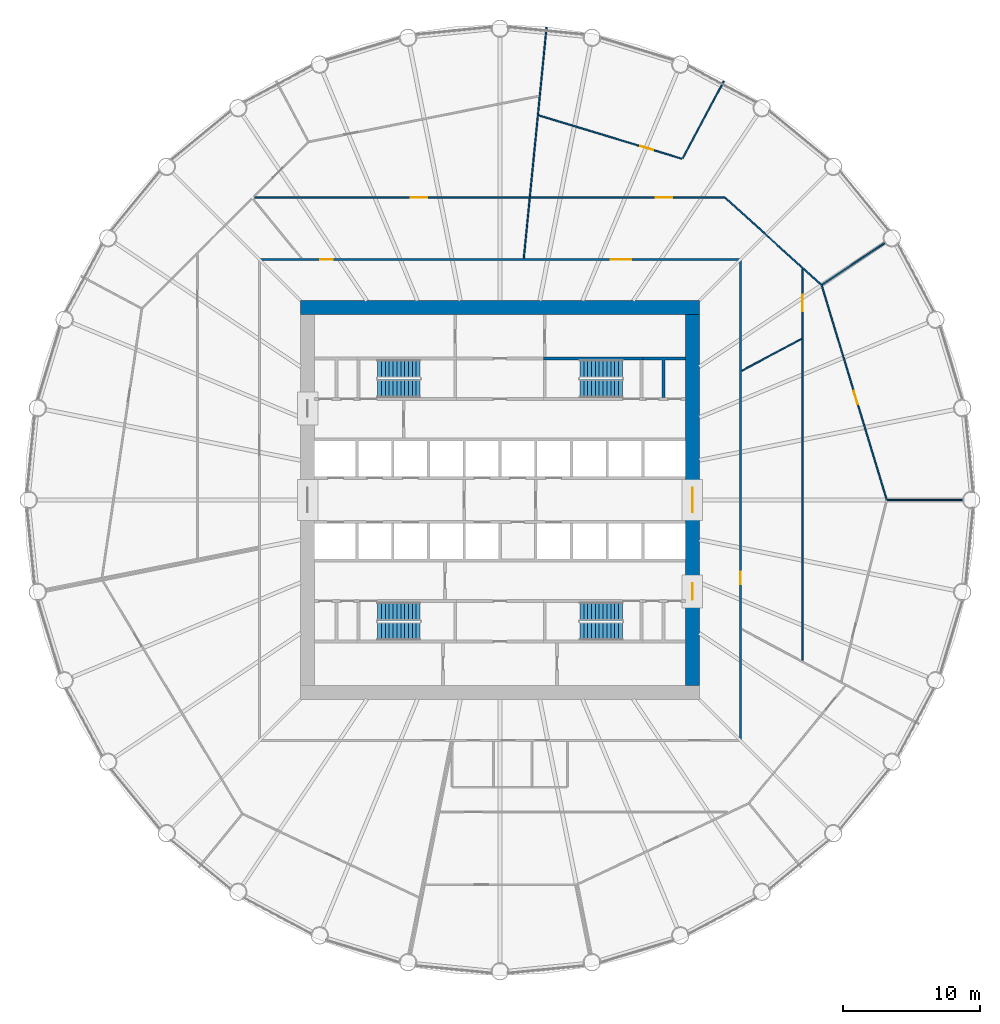
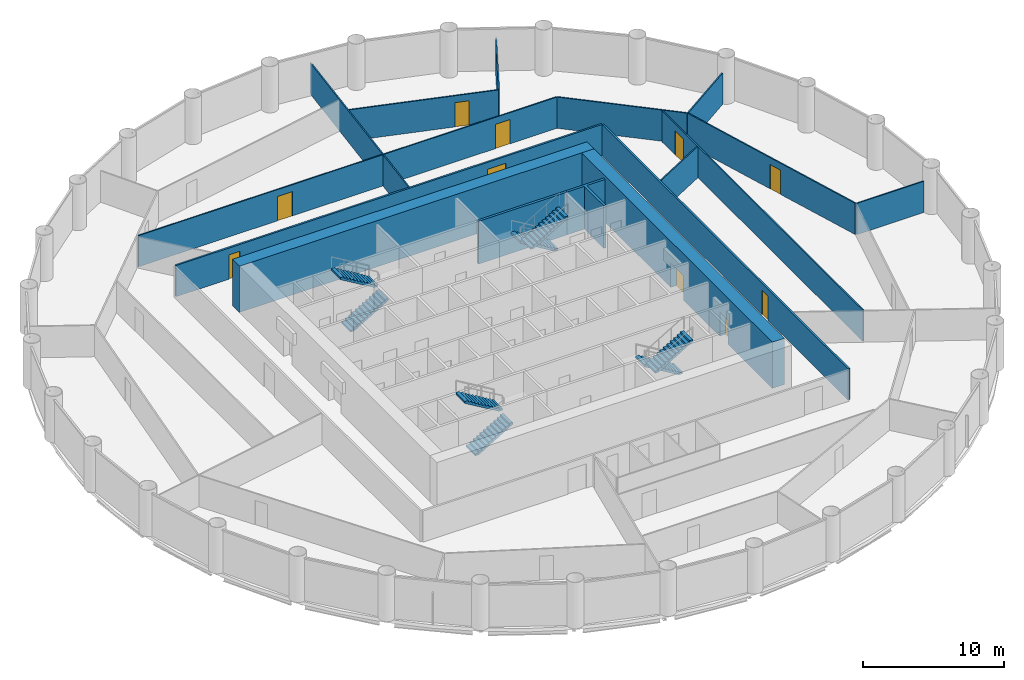
# One storey, part 7 of 8: 17 walls, 10 doors, 8 stair flights, 10 openings, 4 elements without a shape of their own.
"""IFC4 building model written with IfcOpenShell, lengths in metres."""

from ifc_helpers import new_model, si_unit, direction, frame, frame_2d, origin, place, context, subcontext, project, spatial, polyline, rectangle, outline, extrude, material, layer, layer_set, type_object, element, fill, aggregate, save


model = new_model("IFC4")

# Units and contexts
model_context = context("Model", 3, precision=1e-05, world=origin(), true_north=direction((0.0, 1.0)))
body_context = subcontext(model_context, "Body", "Model", "MODEL_VIEW")
ifc_project = project(units=[si_unit("LENGTHUNIT", "METRE"), si_unit("AREAUNIT", "SQUARE_METRE"), si_unit("VOLUMEUNIT", "CUBIC_METRE"), si_unit("PLANEANGLEUNIT", "RADIAN"), si_unit("MASSUNIT", "GRAM", prefix="KILO")], contexts=[model_context])

# Site, building, storey
site_placement = place(None, origin())
site = spatial("IfcSite", under=ifc_project, at=site_placement, CompositionType="ELEMENT")
building_placement = place(site_placement, origin())
building = spatial("IfcBuilding", under=site, at=building_placement, Name="Corvane Civic Tower", CompositionType="ELEMENT")
storey_placement = place(building_placement, frame((0.0, 0.0, 122.5)))
storey = spatial("IfcBuildingStorey", under=building, at=storey_placement, Name="L28", CompositionType="ELEMENT", Elevation=122.5)

# Wall
ifc_material_1 = material(Name="Concrete C70/85", Category="concrete")
ifc_layer_1 = layer(ifc_material_1, 1.0)
ifc_layer_set_1 = layer_set([ifc_layer_1], Name="Concrete C70/85")
wall_type_1 = type_object("IfcWallType", Name="CORE WALL 1000 C70/85", PredefinedType="SHEAR", material=ifc_layer_set_1)
wall_1_placement = place(storey_placement, frame((-14.5, 14.0, 0.0), z_axis=(0.0, 0.0, 1.0), x_axis=(1.0, 0.0, 0.0)))
element("IfcWall", 1, at=wall_1_placement, inside=storey, type_object=wall_type_1, Name="W-L28-core-N", PredefinedType="SHEAR", context=body_context, shape_type="SweptSolid", body=[
    extrude(rectangle(XDim=29.0, YDim=1.0, at=frame_2d((14.5, 0.0))), origin(), (0.0, 0.0, 1.0), 4.0),
])

# Wall, openings, doors
wall_2_placement = place(storey_placement, frame((14.0, -13.5, 0.0), z_axis=(0.0, 0.0, 1.0), x_axis=(0.0, 1.0, 0.0)))
wall_2 = element("IfcWall", 2, at=wall_2_placement, inside=storey, type_object=wall_type_1, Name="W-L28-core-E", PredefinedType="SHEAR", context=body_context, shape_type="SweptSolid", body=[
    extrude(rectangle(XDim=27.0, YDim=1.0, at=frame_2d((13.5, 0.0))), origin(), (0.0, 0.0, 1.0), 4.0),
])
opening_1_placement = place(wall_2_placement, frame((12.60009765625, 0.0, 0.0)))
opening_1 = element("IfcOpeningElement", 3, at=opening_1_placement, cuts=wall_2, Name="Opening L28.C27", PredefinedType="OPENING", context=body_context, shape_type="SweptSolid", body=[
    extrude(rectangle(XDim=1.800048828125, YDim=2.10009765625, at=frame_2d((0.89990234375, 1.050048828125))), frame((0.0, 0.510009765625, 0.0), z_axis=(0.0, -1.0, 0.0), x_axis=(1.0, 0.0, 0.0)), (0.0, 0.0, 1.0), 1.02001953125),
])
opening_2_placement = place(wall_2_placement, frame((6.25, 0.0, 0.0)))
opening_2 = element("IfcOpeningElement", 4, at=opening_2_placement, cuts=wall_2, Name="Opening L28.C29", PredefinedType="OPENING", context=body_context, shape_type="SweptSolid", body=[
    extrude(rectangle(XDim=1.199951171875, YDim=2.10009765625, at=frame_2d((0.60009765625, 1.050048828125))), frame((0.0, 0.510009765625, 0.0), z_axis=(0.0, -1.0, 0.0), x_axis=(1.0, 0.0, 0.0)), (0.0, 0.0, 1.0), 1.02001953125),
])
ifc_material_2 = material(Name="Steel fire door leaf", Category="steel")
door_type_1 = type_object("IfcDoorType", Name="CR-DOOR-CORE-1800", OperationType="DOUBLE_DOOR_SINGLE_SWING", PredefinedType="DOOR", material=ifc_material_2)
door_1_placement = place(opening_1_placement, origin())
door_1 = element("IfcDoor", 5, at=door_1_placement, inside=storey, type_object=door_type_1, Name="L28 door", OperationType="DOUBLE_DOOR_SINGLE_SWING", OverallHeight=2.10009765625, OverallWidth=1.800048828125, PredefinedType="DOOR", context=body_context, shape_type="SweptSolid", body=[
    extrude(rectangle(XDim=1.800048828125, YDim=2.10009765625, at=frame_2d((0.89990234375, 1.050048828125))), frame((0.0, 0.02490234375, 0.0), z_axis=(0.0, -1.0, 0.0), x_axis=(1.0, 0.0, 0.0)), (0.0, 0.0, 1.0), 0.050048828125),
])
fill(opening_1, door_1)
door_2_placement = place(opening_2_placement, origin())
door_2 = element("IfcDoor", 6, at=door_2_placement, inside=storey, type_object=door_type_1, Name="L28 door", OperationType="DOUBLE_DOOR_SINGLE_SWING", OverallHeight=2.10009765625, OverallWidth=1.199951171875, PredefinedType="DOOR", context=body_context, shape_type="SweptSolid", body=[
    extrude(rectangle(XDim=1.199951171875, YDim=2.10009765625, at=frame_2d((0.60009765625, 1.050048828125))), frame((0.0, 0.02490234375, 0.0), z_axis=(0.0, -1.0, 0.0), x_axis=(1.0, 0.0, 0.0)), (0.0, 0.0, 1.0), 0.050048828125),
])
fill(opening_2, door_2)

# Wall
ifc_material_3 = material(Name="Concrete C30/37", Category="concrete")
ifc_layer_2 = layer(ifc_material_3, 0.199951171875)
ifc_layer_set_2 = layer_set([ifc_layer_2], Name="Concrete C30/37")
wall_type_2 = type_object("IfcWallType", Name="CR-WALL-200", PredefinedType="PARTITIONING", material=ifc_layer_set_2)
wall_3_placement = place(storey_placement, origin())
element("IfcWall", 7, at=wall_3_placement, inside=storey, type_object=wall_type_2, Name="L28 core partition wall", PredefinedType="PARTITIONING", context=body_context, shape_type="SweptSolid", body=[
    extrude(outline(polyline([(13.5, 10.39990234375), (13.5, 10.199951171875), (12.0, 10.199951171875), (12.0, 7.449951171875), (11.800048828125, 7.449951171875), (11.800048828125, 10.199951171875), (10.39990234375, 10.199951171875), (10.39990234375, 10.39990234375), (13.5, 10.39990234375)])), origin(), (0.0, 0.0, 1.0), 3.699951171875),
])

# Wall, opening, door
ifc_material_4 = material(Name="Plasterboard")
ifc_layer_3 = layer(ifc_material_4, 0.10009765625)
ifc_layer_set_3 = layer_set([ifc_layer_3], Name="Plasterboard")
wall_type_3 = type_object("IfcWallType", Name="Partition 100 plasterboard on studs", PredefinedType="PARTITIONING", material=ifc_layer_set_3)
wall_4_placement = place(storey_placement, frame((22.0, -11.67578125, 0.0), z_axis=(0.0, 0.0, 1.0), x_axis=(0.0, 1.0, 0.0)))
wall_4 = element("IfcWall", 8, at=wall_4_placement, inside=storey, type_object=wall_type_3, Name="Partition L28.021", PredefinedType="PARTITIONING", context=body_context, shape_type="SweptSolid", body=[
    extrude(rectangle(XDim=28.466796875, YDim=0.10009765625, at=frame_2d((14.2333984375, 0.0))), origin(), (0.0, 0.0, 1.0), 2.699951171875),
])
opening_3_placement = place(wall_4_placement, frame((25.4072265625, 0.0, 0.0)))
opening_3 = element("IfcOpeningElement", 9, at=opening_3_placement, cuts=wall_4, Name="Opening L28.014", PredefinedType="OPENING", context=body_context, shape_type="SweptSolid", body=[
    extrude(rectangle(XDim=1.199951171875, YDim=2.10009765625, at=frame_2d((0.60009765625, 1.050048828125))), frame((0.0, 0.06005859375, 0.0), z_axis=(0.0, -1.0, 0.0), x_axis=(1.0, 0.0, 0.0)), (0.0, 0.0, 1.0), 0.1201171875),
])
ifc_material_5 = material(Name="Timber", Category="wood")
door_type_2 = type_object("IfcDoorType", Name="Double door 1200", OperationType="NOTDEFINED", PredefinedType="DOOR", material=ifc_material_5)
door_3_placement = place(opening_3_placement, frame((1.199951171875, 0.0, 0.0), z_axis=(0.0, 0.0, 1.0), x_axis=(-1.0, 0.0, 0.0)))
door_3 = element("IfcDoor", 10, at=door_3_placement, inside=storey, type_object=door_type_2, Name="Door L28.014", OperationType="DOUBLE_DOOR_SINGLE_SWING", OverallHeight=2.10009765625, OverallWidth=1.199951171875, PredefinedType="DOOR", context=body_context, shape_type="SweptSolid", body=[
    extrude(rectangle(XDim=1.199951171875, YDim=2.10009765625, at=frame_2d((0.60009765625, 1.050048828125))), frame((0.0, 0.02490234375, 0.0), z_axis=(0.0, -1.0, 0.0), x_axis=(1.0, 0.0, 0.0)), (0.0, 0.0, 1.0), 0.050048828125),
])
fill(opening_3, door_3)

# Wall
wall_5_placement = place(storey_placement, frame((28.181640625, 0.0, 0.0), z_axis=(0.0, 0.0, 1.0), x_axis=(1.0, 0.0, 0.0)))
element("IfcWall", 11, at=wall_5_placement, inside=storey, type_object=wall_type_3, Name="Partition L28.025", PredefinedType="PARTITIONING", context=body_context, shape_type="SweptSolid", body=[
    extrude(rectangle(XDim=5.4833984375, YDim=0.10009765625, at=frame_2d((2.74169921875, 0.0))), origin(), (0.0, 0.0, 1.0), 2.699951171875),
])

# Wall, opening, door
wall_6_placement = place(storey_placement, frame((23.410400390625, 15.599609375, 0.0), z_axis=(0.0, 0.0, 1.0), x_axis=(0.290289427399, -0.956938894779, 0.0)))
wall_6 = element("IfcWall", 12, at=wall_6_placement, inside=storey, type_object=wall_type_3, Name="Partition L28.026", PredefinedType="PARTITIONING", context=body_context, shape_type="SweptSolid", body=[
    extrude(rectangle(XDim=16.2646484375, YDim=0.10009765625, at=frame_2d((8.13232421875, 0.0))), origin(), (0.0, 0.0, 1.0), 2.699951171875),
])
opening_4_placement = place(wall_6_placement, frame((8.015380859375, 0.0, 0.0)))
opening_4 = element("IfcOpeningElement", 13, at=opening_4_placement, cuts=wall_6, Name="Opening L28.012", PredefinedType="OPENING", context=body_context, shape_type="SweptSolid", body=[
    extrude(rectangle(XDim=1.0, YDim=2.10009765625, at=frame_2d((0.5, 1.050048828125))), frame((0.0, 0.06005859375, 0.0), z_axis=(0.0, -1.0, 0.0), x_axis=(1.0, 0.0, 0.0)), (0.0, 0.0, 1.0), 0.1201171875),
])
ifc_material_6 = material(Name="Timber", Category="wood")
door_type_3 = type_object("IfcDoorType", Name="Single door 1000", OperationType="NOTDEFINED", PredefinedType="DOOR", material=ifc_material_6)
door_4_placement = place(opening_4_placement, origin())
door_4 = element("IfcDoor", 14, at=door_4_placement, inside=storey, type_object=door_type_3, Name="Door L28.012", OperationType="SINGLE_SWING_RIGHT", OverallHeight=2.10009765625, OverallWidth=1.0, PredefinedType="DOOR", context=body_context, shape_type="SweptSolid", body=[
    extrude(rectangle(XDim=1.0, YDim=2.10009765625, at=frame_2d((0.5, 1.050048828125))), frame((0.0, 0.02490234375, 0.0), z_axis=(0.0, -1.0, 0.0), x_axis=(1.0, 0.0, 0.0)), (0.0, 0.0, 1.0), 0.050048828125),
])
fill(opening_4, door_4)

# Walls
wall_7_placement = place(storey_placement, frame((17.5986328125, 9.406494140625, 0.0), z_axis=(0.0, 0.0, 1.0), x_axis=(0.881906349881, 0.47142463877, 0.0)))
element("IfcWall", 15, at=wall_7_placement, inside=storey, type_object=wall_type_3, Name="Partition L28.027", PredefinedType="PARTITIONING", context=body_context, shape_type="SweptSolid", body=[
    extrude(rectangle(XDim=4.907470703125, YDim=0.10009765625, at=frame_2d((2.45361328125, 0.0))), origin(), (0.0, 0.0, 1.0), 2.699951171875),
])
wall_8_placement = place(storey_placement, frame((16.391357421875, 21.987060546875, 0.0), z_axis=(0.0, 0.0, 1.0), x_axis=(0.740947856194, -0.671562561793, 0.0)))
element("IfcWall", 16, at=wall_8_placement, inside=storey, type_object=wall_type_3, Name="Partition L28.030", PredefinedType="PARTITIONING", context=body_context, shape_type="SweptSolid", body=[
    extrude(rectangle(XDim=9.41943359375, YDim=0.10009765625, at=frame_2d((4.709716796875, 0.0))), origin(), (0.0, 0.0, 1.0), 2.699951171875),
])
wall_9_placement = place(storey_placement, frame((23.43212890625, 15.65673828125, 0.0), z_axis=(0.0, 0.0, 1.0), x_axis=(0.831453900371, 0.555593746867, 0.0)))
element("IfcWall", 17, at=wall_9_placement, inside=storey, type_object=wall_type_3, Name="Partition L28.031", PredefinedType="PARTITIONING", context=body_context, shape_type="SweptSolid", body=[
    extrude(rectangle(XDim=5.483642578125, YDim=0.10009765625, at=frame_2d((2.74169921875, 0.0))), origin(), (0.0, 0.0, 1.0), 2.699951171875),
])
wall_10_placement = place(storey_placement, frame((1.7314453125, 17.579833984375, 0.0), z_axis=(0.0, 0.0, 1.0), x_axis=(0.098017353968, 0.995184705631, 0.0)))
element("IfcWall", 18, at=wall_10_placement, inside=storey, type_object=wall_type_3, Name="Partition L28.033", PredefinedType="PARTITIONING", context=body_context, shape_type="SweptSolid", body=[
    extrude(rectangle(XDim=4.391357421875, YDim=0.10009765625, at=frame_2d((2.19580078125, 0.0))), origin(), (0.0, 0.0, 1.0), 2.699951171875),
])

# Wall, openings, doors
wall_11_placement = place(storey_placement, frame((-17.86181640625, 22.0, 0.0), z_axis=(0.0, 0.0, 1.0), x_axis=(1.0, 0.0, 0.0)))
wall_11 = element("IfcWall", 19, at=wall_11_placement, inside=storey, type_object=wall_type_3, Name="Partition L28.035", PredefinedType="PARTITIONING", context=body_context, shape_type="SweptSolid", body=[
    extrude(rectangle(XDim=34.219482421875, YDim=0.10009765625, at=frame_2d((17.10986328125, 0.0))), origin(), (0.0, 0.0, 1.0), 2.699951171875),
])
opening_5_placement = place(wall_11_placement, frame((11.372314453125, 0.0, 0.0)))
opening_5 = element("IfcOpeningElement", 20, at=opening_5_placement, cuts=wall_11, Name="Opening L28.008", PredefinedType="OPENING", context=body_context, shape_type="SweptSolid", body=[
    extrude(rectangle(XDim=1.199951171875, YDim=2.10009765625, at=frame_2d((0.60009765625, 1.050048828125))), frame((0.0, 0.06005859375, 0.0), z_axis=(0.0, -1.0, 0.0), x_axis=(1.0, 0.0, 0.0)), (0.0, 0.0, 1.0), 0.1201171875),
])
opening_6_placement = place(wall_11_placement, frame((29.17724609375, 0.0, 0.0)))
opening_6 = element("IfcOpeningElement", 21, at=opening_6_placement, cuts=wall_11, Name="Opening L28.015", PredefinedType="OPENING", context=body_context, shape_type="SweptSolid", body=[
    extrude(rectangle(XDim=1.199951171875, YDim=2.10009765625, at=frame_2d((0.60009765625, 1.050048828125))), frame((0.0, 0.06005859375, 0.0), z_axis=(0.0, -1.0, 0.0), x_axis=(1.0, 0.0, 0.0)), (0.0, 0.0, 1.0), 0.1201171875),
])
door_5_placement = place(opening_5_placement, origin())
door_5 = element("IfcDoor", 22, at=door_5_placement, inside=storey, type_object=door_type_2, Name="Door L28.008", OperationType="DOUBLE_DOOR_SINGLE_SWING", OverallHeight=2.10009765625, OverallWidth=1.199951171875, PredefinedType="DOOR", context=body_context, shape_type="SweptSolid", body=[
    extrude(rectangle(XDim=1.199951171875, YDim=2.10009765625, at=frame_2d((0.60009765625, 1.050048828125))), frame((0.0, 0.02490234375, 0.0), z_axis=(0.0, -1.0, 0.0), x_axis=(1.0, 0.0, 0.0)), (0.0, 0.0, 1.0), 0.050048828125),
])
fill(opening_5, door_5)
door_6_placement = place(opening_6_placement, origin())
door_6 = element("IfcDoor", 23, at=door_6_placement, inside=storey, type_object=door_type_2, Name="Door L28.015", OperationType="DOUBLE_DOOR_SINGLE_SWING", OverallHeight=2.10009765625, OverallWidth=1.199951171875, PredefinedType="DOOR", context=body_context, shape_type="SweptSolid", body=[
    extrude(rectangle(XDim=1.199951171875, YDim=2.10009765625, at=frame_2d((0.60009765625, 1.050048828125))), frame((0.0, 0.02490234375, 0.0), z_axis=(0.0, -1.0, 0.0), x_axis=(1.0, 0.0, 0.0)), (0.0, 0.0, 1.0), 0.050048828125),
])
fill(opening_6, door_6)

# Wall
wall_12_placement = place(storey_placement, frame((2.172119140625, 22.054931640625, 0.0), z_axis=(0.0, 0.0, 1.0), x_axis=(0.09802265645, 0.995184183366, 0.0)))
element("IfcWall", 24, at=wall_12_placement, inside=storey, type_object=wall_type_3, Name="Partition L28.036", PredefinedType="PARTITIONING", context=body_context, shape_type="SweptSolid", body=[
    extrude(rectangle(XDim=12.388427734375, YDim=0.10009765625, at=frame_2d((6.1943359375, 0.0))), origin(), (0.0, 0.0, 1.0), 2.699951171875),
])

# Wall, opening, door
wall_13_placement = place(storey_placement, frame((2.816650390625, 27.9892578125, 0.0), z_axis=(0.0, 0.0, 1.0), x_axis=(0.956940372735, -0.290284555271, 0.0)))
wall_13 = element("IfcWall", 25, at=wall_13_placement, inside=storey, type_object=wall_type_3, Name="Partition L28.038", PredefinedType="PARTITIONING", context=body_context, shape_type="SweptSolid", body=[
    extrude(rectangle(XDim=10.87890625, YDim=0.10009765625, at=frame_2d((5.439453125, 0.0))), origin(), (0.0, 0.0, 1.0), 2.699951171875),
])
opening_7_placement = place(wall_13_placement, frame((7.715576171875, 0.0, 0.0)))
opening_7 = element("IfcOpeningElement", 26, at=opening_7_placement, cuts=wall_13, Name="Opening L28.011", PredefinedType="OPENING", context=body_context, shape_type="SweptSolid", body=[
    extrude(rectangle(XDim=1.0, YDim=2.10009765625, at=frame_2d((0.5, 1.050048828125))), frame((0.0, 0.06005859375, 0.0), z_axis=(0.0, -1.0, 0.0), x_axis=(1.0, 0.0, 0.0)), (0.0, 0.0, 1.0), 0.1201171875),
])
door_7_placement = place(opening_7_placement, origin())
door_7 = element("IfcDoor", 27, at=door_7_placement, inside=storey, type_object=door_type_3, Name="Door L28.011", OperationType="SINGLE_SWING_LEFT", OverallHeight=2.10009765625, OverallWidth=1.0, PredefinedType="DOOR", context=body_context, shape_type="SweptSolid", body=[
    extrude(rectangle(XDim=1.0, YDim=2.10009765625, at=frame_2d((0.5, 1.050048828125))), frame((0.0, 0.02490234375, 0.0), z_axis=(0.0, -1.0, 0.0), x_axis=(1.0, 0.0, 0.0)), (0.0, 0.0, 1.0), 0.050048828125),
])
fill(opening_7, door_7)

# Walls
wall_14_placement = place(storey_placement, frame((13.28564453125, 24.855712890625, 0.0), z_axis=(0.0, 0.0, 1.0), x_axis=(0.471406069259, 0.881916275996, 0.0)))
element("IfcWall", 28, at=wall_14_placement, inside=storey, type_object=wall_type_3, Name="Partition L28.039", PredefinedType="PARTITIONING", context=body_context, shape_type="SweptSolid", body=[
    extrude(rectangle(XDim=6.366455078125, YDim=0.10009765625, at=frame_2d((3.18310546875, 0.0))), origin(), (0.0, 0.0, 1.0), 2.699951171875),
])
ifc_material_7 = material(Name="Concrete C50/60", Category="concrete")
ifc_layer_4 = layer(ifc_material_7, 0.199951171875)
ifc_layer_set_4 = layer_set([ifc_layer_4], Name="Concrete C50/60")
wall_type_4 = type_object("IfcWallType", Name="ST-WALL-200", PredefinedType="SHEAR", material=ifc_layer_set_4)
wall_15_placement = place(storey_placement, origin())
element("IfcWall", 29, at=wall_15_placement, inside=storey, type_object=wall_type_4, Name="L28 stair enclosure wall", PredefinedType="SHEAR", context=body_context, shape_type="SweptSolid", body=[
    extrude(outline(polyline([(10.39990234375, 10.199951171875), (3.14990234375, 10.199951171875), (3.14990234375, 10.39990234375), (10.39990234375, 10.39990234375), (10.39990234375, 10.199951171875)])), origin(), (0.0, 0.0, 1.0), 3.699951171875),
])

# Wall, opening, door
ifc_material_8 = material(Name="Plasterboard")
ifc_layer_5 = layer(ifc_material_8, 0.14990234375)
ifc_layer_set_5 = layer_set([ifc_layer_5], Name="Plasterboard")
wall_type_5 = type_object("IfcWallType", Name="Tenancy wall 150 EI 60", PredefinedType="PARTITIONING", material=ifc_layer_set_5)
wall_16_placement = place(storey_placement, frame((17.5, -17.425048828125, 0.0), z_axis=(0.0, 0.0, 1.0), x_axis=(0.0, 1.0, 0.0)))
wall_16 = element("IfcWall", 30, at=wall_16_placement, inside=storey, type_object=wall_type_5, Name="Partition L28.018", PredefinedType="PARTITIONING", context=body_context, shape_type="SweptSolid", body=[
    extrude(rectangle(XDim=34.85009765625, YDim=0.14990234375, at=frame_2d((17.425048828125, 0.0))), origin(), (0.0, 0.0, 1.0), 2.699951171875),
])
opening_8_placement = place(wall_16_placement, frame((11.30615234375, 0.0, 0.0)))
opening_8 = element("IfcOpeningElement", 31, at=opening_8_placement, cuts=wall_16, Name="Opening L28.017", PredefinedType="OPENING", context=body_context, shape_type="SweptSolid", body=[
    extrude(rectangle(XDim=0.89990234375, YDim=2.10009765625, at=frame_2d((0.449951171875, 1.050048828125))), frame((0.0, 0.0849609375, 0.0), z_axis=(0.0, -1.0, 0.0), x_axis=(1.0, 0.0, 0.0)), (0.0, 0.0, 1.0), 0.169921875),
])
ifc_material_9 = material(Name="Steel and timber", Category="steel")
door_type_4 = type_object("IfcDoorType", Name="Fire door FD30S 900", OperationType="NOTDEFINED", PredefinedType="DOOR", material=ifc_material_9)
door_8_placement = place(opening_8_placement, frame((0.89990234375, 0.0, 0.0), z_axis=(0.0, 0.0, 1.0), x_axis=(-1.0, 0.0, 0.0)))
door_8 = element("IfcDoor", 32, at=door_8_placement, inside=storey, type_object=door_type_4, Name="Door L28.017", OperationType="SINGLE_SWING_LEFT", OverallHeight=2.10009765625, OverallWidth=0.89990234375, PredefinedType="DOOR", context=body_context, shape_type="SweptSolid", body=[
    extrude(rectangle(XDim=0.89990234375, YDim=2.10009765625, at=frame_2d((0.449951171875, 1.050048828125))), frame((0.0, 0.02490234375, 0.0), z_axis=(0.0, -1.0, 0.0), x_axis=(1.0, 0.0, 0.0)), (0.0, 0.0, 1.0), 0.050048828125),
])
fill(opening_8, door_8)

# Wall, openings, doors
wall_17_placement = place(storey_placement, frame((-17.425048828125, 17.5, 0.0), z_axis=(0.0, 0.0, 1.0), x_axis=(1.0, 0.0, 0.0)))
wall_17 = element("IfcWall", 33, at=wall_17_placement, inside=storey, type_object=wall_type_5, Name="Partition L28.032", PredefinedType="PARTITIONING", context=body_context, shape_type="SweptSolid", body=[
    extrude(rectangle(XDim=34.85009765625, YDim=0.14990234375, at=frame_2d((17.425048828125, 0.0))), origin(), (0.0, 0.0, 1.0), 2.699951171875),
])
opening_9_placement = place(wall_17_placement, frame((4.343505859375, 0.0, 0.0)))
opening_9 = element("IfcOpeningElement", 34, at=opening_9_placement, cuts=wall_17, Name="Opening L28.010", PredefinedType="OPENING", context=body_context, shape_type="SweptSolid", body=[
    extrude(rectangle(XDim=0.89990234375, YDim=2.10009765625, at=frame_2d((0.449951171875, 1.050048828125))), frame((0.0, 0.0849609375, 0.0), z_axis=(0.0, -1.0, 0.0), x_axis=(1.0, 0.0, 0.0)), (0.0, 0.0, 1.0), 0.169921875),
])
opening_10_placement = place(wall_17_placement, frame((25.488037109375, 0.0, 0.0)))
opening_10 = element("IfcOpeningElement", 35, at=opening_10_placement, cuts=wall_17, Name="Opening L28.016", PredefinedType="OPENING", context=body_context, shape_type="SweptSolid", body=[
    extrude(rectangle(XDim=1.5, YDim=2.10009765625, at=frame_2d((0.75, 1.050048828125))), frame((0.0, 0.0849609375, 0.0), z_axis=(0.0, -1.0, 0.0), x_axis=(1.0, 0.0, 0.0)), (0.0, 0.0, 1.0), 0.169921875),
])
door_9_placement = place(opening_9_placement, origin())
door_9 = element("IfcDoor", 36, at=door_9_placement, inside=storey, type_object=door_type_4, Name="Door L28.010", OperationType="SINGLE_SWING_LEFT", OverallHeight=2.10009765625, OverallWidth=0.89990234375, PredefinedType="DOOR", context=body_context, shape_type="SweptSolid", body=[
    extrude(rectangle(XDim=0.89990234375, YDim=2.10009765625, at=frame_2d((0.449951171875, 1.050048828125))), frame((0.0, 0.02490234375, 0.0), z_axis=(0.0, -1.0, 0.0), x_axis=(1.0, 0.0, 0.0)), (0.0, 0.0, 1.0), 0.050048828125),
])
fill(opening_9, door_9)
ifc_material_10 = material(Name="Steel and timber", Category="steel")
door_type_5 = type_object("IfcDoorType", Name="Fire door FD60 double 1500", OperationType="NOTDEFINED", PredefinedType="DOOR", material=ifc_material_10)
door_10_placement = place(opening_10_placement, origin())
door_10 = element("IfcDoor", 37, at=door_10_placement, inside=storey, type_object=door_type_5, Name="Door L28.016", OperationType="DOUBLE_DOOR_SINGLE_SWING", OverallHeight=2.10009765625, OverallWidth=1.5, PredefinedType="DOOR", context=body_context, shape_type="SweptSolid", body=[
    extrude(rectangle(XDim=1.5, YDim=2.10009765625, at=frame_2d((0.75, 1.050048828125))), frame((0.0, 0.02490234375, 0.0), z_axis=(0.0, -1.0, 0.0), x_axis=(1.0, 0.0, 0.0)), (0.0, 0.0, 1.0), 0.050048828125),
])
fill(opening_10, door_10)

# Stair, stair flights
ifc_material_11 = material(Name="Concrete C40/50", Category="concrete")
stair_type = type_object("IfcStairType", Name="ST-STAIR-HALFTURN", PredefinedType="HALF_TURN_STAIR", material=ifc_material_11)
stair_1_placement = place(storey_placement, origin())
stair_1 = element("IfcStair", 38, at=stair_1_placement, inside=storey, type_object=stair_type, Name="L28 Exit stair ST1", PredefinedType="HALF_TURN_STAIR")
ifc_material_12 = material(Name="Concrete C40/50", Category="concrete")
stair_flight_type = type_object("IfcStairFlightType", Name="ST-FLIGHT-RC", PredefinedType="STRAIGHT", material=ifc_material_12)
stair_flight_1_placement = place(storey_placement, frame((8.89990234375, 9.550048828125, 0.0), z_axis=(0.0, 0.0, 1.0), x_axis=(-1.0, 0.0, 0.0)))
stair_flight_1 = element("IfcStairFlight", 39, at=stair_flight_1_placement, type_object=stair_flight_type, Name="ST1 flight 1", NumberOfRisers=12, NumberOfTreads=11, PredefinedType="STRAIGHT", RiserHeight=0.166666667, TreadLength=0.28, context=body_context, shape_type="SweptSolid", body=[
    extrude(outline(polyline([(0.0, 0.0), (0.0, 0.166748046875), (0.280029296875, 0.166748046875), (0.280029296875, 0.333251953125), (0.56005859375, 0.333251953125), (0.56005859375, 0.5), (0.840087890625, 0.5), (0.840087890625, 0.666748046875), (1.1201171875, 0.666748046875), (1.1201171875, 0.833251953125), (1.39990234375, 0.833251953125), (1.39990234375, 1.0), (1.679931640625, 1.0), (1.679931640625, 1.166748046875), (1.9599609375, 1.166748046875), (1.9599609375, 1.333251953125), (2.239990234375, 1.333251953125), (2.239990234375, 1.5), (2.52001953125, 1.5), (2.52001953125, 1.666748046875), (2.800048828125, 1.666748046875), (2.800048828125, 1.833251953125), (3.080078125, 1.833251953125), (3.080078125, 2.0), (3.080078125, 1.658935546875), (0.29296875, 0.0), (0.0, 0.0)])), frame((0.0, 0.64990234375, 0.0), z_axis=(0.0, -1.0, 0.0), x_axis=(1.0, 0.0, 0.0)), (0.0, 0.0, 1.0), 1.300048828125),
])
stair_flight_2_placement = place(storey_placement, frame((5.820068359375, 8.10009765625, 2.0), z_axis=(0.0, 0.0, 1.0), x_axis=(1.0, 0.0, 0.0)))
stair_flight_2 = element("IfcStairFlight", 40, at=stair_flight_2_placement, type_object=stair_flight_type, Name="ST1 flight 2", NumberOfRisers=12, NumberOfTreads=11, PredefinedType="STRAIGHT", RiserHeight=0.166666667, TreadLength=0.28, context=body_context, shape_type="SweptSolid", body=[
    extrude(outline(polyline([(0.0, 0.0), (0.0, 0.166748046875), (0.280029296875, 0.166748046875), (0.280029296875, 0.333251953125), (0.56005859375, 0.333251953125), (0.56005859375, 0.5), (0.840087890625, 0.5), (0.840087890625, 0.666748046875), (1.1201171875, 0.666748046875), (1.1201171875, 0.833251953125), (1.39990234375, 0.833251953125), (1.39990234375, 1.0), (1.679931640625, 1.0), (1.679931640625, 1.166748046875), (1.9599609375, 1.166748046875), (1.9599609375, 1.333251953125), (2.239990234375, 1.333251953125), (2.239990234375, 1.5), (2.52001953125, 1.5), (2.52001953125, 1.666748046875), (2.800048828125, 1.666748046875), (2.800048828125, 1.833251953125), (3.080078125, 1.833251953125), (3.080078125, 2.0), (3.080078125, 1.658935546875), (0.29296875, 0.0), (0.0, 0.0)])), frame((0.0, 0.64990234375, 0.0), z_axis=(0.0, -1.0, 0.0), x_axis=(1.0, 0.0, 0.0)), (0.0, 0.0, 1.0), 1.300048828125),
])
aggregate(stair_1, [stair_flight_1, stair_flight_2])

stair_2_placement = place(storey_placement, origin())
stair_2 = element("IfcStair", 41, at=stair_2_placement, inside=storey, type_object=stair_type, Name="L28 Exit stair ST2", PredefinedType="HALF_TURN_STAIR")
stair_flight_3_placement = place(storey_placement, frame((8.89990234375, -8.10009765625, 0.0), z_axis=(0.0, 0.0, 1.0), x_axis=(-1.0, 0.0, 0.0)))
stair_flight_3 = element("IfcStairFlight", 42, at=stair_flight_3_placement, type_object=stair_flight_type, Name="ST2 flight 1", NumberOfRisers=12, NumberOfTreads=11, PredefinedType="STRAIGHT", RiserHeight=0.166666667, TreadLength=0.28, context=body_context, shape_type="SweptSolid", body=[
    extrude(outline(polyline([(0.0, 0.0), (0.0, 0.166748046875), (0.280029296875, 0.166748046875), (0.280029296875, 0.333251953125), (0.56005859375, 0.333251953125), (0.56005859375, 0.5), (0.840087890625, 0.5), (0.840087890625, 0.666748046875), (1.1201171875, 0.666748046875), (1.1201171875, 0.833251953125), (1.39990234375, 0.833251953125), (1.39990234375, 1.0), (1.679931640625, 1.0), (1.679931640625, 1.166748046875), (1.9599609375, 1.166748046875), (1.9599609375, 1.333251953125), (2.239990234375, 1.333251953125), (2.239990234375, 1.5), (2.52001953125, 1.5), (2.52001953125, 1.666748046875), (2.800048828125, 1.666748046875), (2.800048828125, 1.833251953125), (3.080078125, 1.833251953125), (3.080078125, 2.0), (3.080078125, 1.658935546875), (0.29296875, 0.0), (0.0, 0.0)])), frame((0.0, 0.64990234375, 0.0), z_axis=(0.0, -1.0, 0.0), x_axis=(1.0, 0.0, 0.0)), (0.0, 0.0, 1.0), 1.300048828125),
])
stair_flight_4_placement = place(storey_placement, frame((5.820068359375, -9.550048828125, 2.0), z_axis=(0.0, 0.0, 1.0), x_axis=(1.0, 0.0, 0.0)))
stair_flight_4 = element("IfcStairFlight", 43, at=stair_flight_4_placement, type_object=stair_flight_type, Name="ST2 flight 2", NumberOfRisers=12, NumberOfTreads=11, PredefinedType="STRAIGHT", RiserHeight=0.166666667, TreadLength=0.28, context=body_context, shape_type="SweptSolid", body=[
    extrude(outline(polyline([(0.0, 0.0), (0.0, 0.166748046875), (0.280029296875, 0.166748046875), (0.280029296875, 0.333251953125), (0.56005859375, 0.333251953125), (0.56005859375, 0.5), (0.840087890625, 0.5), (0.840087890625, 0.666748046875), (1.1201171875, 0.666748046875), (1.1201171875, 0.833251953125), (1.39990234375, 0.833251953125), (1.39990234375, 1.0), (1.679931640625, 1.0), (1.679931640625, 1.166748046875), (1.9599609375, 1.166748046875), (1.9599609375, 1.333251953125), (2.239990234375, 1.333251953125), (2.239990234375, 1.5), (2.52001953125, 1.5), (2.52001953125, 1.666748046875), (2.800048828125, 1.666748046875), (2.800048828125, 1.833251953125), (3.080078125, 1.833251953125), (3.080078125, 2.0), (3.080078125, 1.658935546875), (0.29296875, 0.0), (0.0, 0.0)])), frame((0.0, 0.64990234375, 0.0), z_axis=(0.0, -1.0, 0.0), x_axis=(1.0, 0.0, 0.0)), (0.0, 0.0, 1.0), 1.300048828125),
])
aggregate(stair_2, [stair_flight_3, stair_flight_4])

stair_3_placement = place(storey_placement, origin())
stair_3 = element("IfcStair", 44, at=stair_3_placement, inside=storey, type_object=stair_type, Name="L28 Exit stair ST3", PredefinedType="HALF_TURN_STAIR")
stair_flight_5_placement = place(storey_placement, frame((-8.89990234375, -9.550048828125, 0.0), z_axis=(0.0, 0.0, 1.0), x_axis=(1.0, 0.0, 0.0)))
stair_flight_5 = element("IfcStairFlight", 45, at=stair_flight_5_placement, type_object=stair_flight_type, Name="ST3 flight 1", NumberOfRisers=12, NumberOfTreads=11, PredefinedType="STRAIGHT", RiserHeight=0.166666667, TreadLength=0.28, context=body_context, shape_type="SweptSolid", body=[
    extrude(outline(polyline([(0.0, 0.0), (0.0, 0.166748046875), (0.280029296875, 0.166748046875), (0.280029296875, 0.333251953125), (0.56005859375, 0.333251953125), (0.56005859375, 0.5), (0.840087890625, 0.5), (0.840087890625, 0.666748046875), (1.1201171875, 0.666748046875), (1.1201171875, 0.833251953125), (1.39990234375, 0.833251953125), (1.39990234375, 1.0), (1.679931640625, 1.0), (1.679931640625, 1.166748046875), (1.9599609375, 1.166748046875), (1.9599609375, 1.333251953125), (2.239990234375, 1.333251953125), (2.239990234375, 1.5), (2.52001953125, 1.5), (2.52001953125, 1.666748046875), (2.800048828125, 1.666748046875), (2.800048828125, 1.833251953125), (3.080078125, 1.833251953125), (3.080078125, 2.0), (3.080078125, 1.658935546875), (0.29296875, 0.0), (0.0, 0.0)])), frame((0.0, 0.64990234375, 0.0), z_axis=(0.0, -1.0, 0.0), x_axis=(1.0, 0.0, 0.0)), (0.0, 0.0, 1.0), 1.300048828125),
])
stair_flight_6_placement = place(storey_placement, frame((-5.820068359375, -8.10009765625, 2.0), z_axis=(0.0, 0.0, 1.0), x_axis=(-1.0, 0.0, 0.0)))
stair_flight_6 = element("IfcStairFlight", 46, at=stair_flight_6_placement, type_object=stair_flight_type, Name="ST3 flight 2", NumberOfRisers=12, NumberOfTreads=11, PredefinedType="STRAIGHT", RiserHeight=0.166666667, TreadLength=0.28, context=body_context, shape_type="SweptSolid", body=[
    extrude(outline(polyline([(0.0, 0.0), (0.0, 0.166748046875), (0.280029296875, 0.166748046875), (0.280029296875, 0.333251953125), (0.56005859375, 0.333251953125), (0.56005859375, 0.5), (0.840087890625, 0.5), (0.840087890625, 0.666748046875), (1.1201171875, 0.666748046875), (1.1201171875, 0.833251953125), (1.39990234375, 0.833251953125), (1.39990234375, 1.0), (1.679931640625, 1.0), (1.679931640625, 1.166748046875), (1.9599609375, 1.166748046875), (1.9599609375, 1.333251953125), (2.239990234375, 1.333251953125), (2.239990234375, 1.5), (2.52001953125, 1.5), (2.52001953125, 1.666748046875), (2.800048828125, 1.666748046875), (2.800048828125, 1.833251953125), (3.080078125, 1.833251953125), (3.080078125, 2.0), (3.080078125, 1.658935546875), (0.29296875, 0.0), (0.0, 0.0)])), frame((0.0, 0.64990234375, 0.0), z_axis=(0.0, -1.0, 0.0), x_axis=(1.0, 0.0, 0.0)), (0.0, 0.0, 1.0), 1.300048828125),
])
aggregate(stair_3, [stair_flight_5, stair_flight_6])

stair_4_placement = place(storey_placement, origin())
stair_4 = element("IfcStair", 47, at=stair_4_placement, inside=storey, type_object=stair_type, Name="L28 Exit stair ST4", PredefinedType="HALF_TURN_STAIR")
stair_flight_7_placement = place(storey_placement, frame((-8.89990234375, 8.10009765625, 0.0), z_axis=(0.0, 0.0, 1.0), x_axis=(1.0, 0.0, 0.0)))
stair_flight_7 = element("IfcStairFlight", 48, at=stair_flight_7_placement, type_object=stair_flight_type, Name="ST4 flight 1", NumberOfRisers=12, NumberOfTreads=11, PredefinedType="STRAIGHT", RiserHeight=0.166666667, TreadLength=0.28, context=body_context, shape_type="SweptSolid", body=[
    extrude(outline(polyline([(0.0, 0.0), (0.0, 0.166748046875), (0.280029296875, 0.166748046875), (0.280029296875, 0.333251953125), (0.56005859375, 0.333251953125), (0.56005859375, 0.5), (0.840087890625, 0.5), (0.840087890625, 0.666748046875), (1.1201171875, 0.666748046875), (1.1201171875, 0.833251953125), (1.39990234375, 0.833251953125), (1.39990234375, 1.0), (1.679931640625, 1.0), (1.679931640625, 1.166748046875), (1.9599609375, 1.166748046875), (1.9599609375, 1.333251953125), (2.239990234375, 1.333251953125), (2.239990234375, 1.5), (2.52001953125, 1.5), (2.52001953125, 1.666748046875), (2.800048828125, 1.666748046875), (2.800048828125, 1.833251953125), (3.080078125, 1.833251953125), (3.080078125, 2.0), (3.080078125, 1.658935546875), (0.29296875, 0.0), (0.0, 0.0)])), frame((0.0, 0.64990234375, 0.0), z_axis=(0.0, -1.0, 0.0), x_axis=(1.0, 0.0, 0.0)), (0.0, 0.0, 1.0), 1.300048828125),
])
stair_flight_8_placement = place(storey_placement, frame((-5.820068359375, 9.550048828125, 2.0), z_axis=(0.0, 0.0, 1.0), x_axis=(-1.0, 0.0, 0.0)))
stair_flight_8 = element("IfcStairFlight", 49, at=stair_flight_8_placement, type_object=stair_flight_type, Name="ST4 flight 2", NumberOfRisers=12, NumberOfTreads=11, PredefinedType="STRAIGHT", RiserHeight=0.166666667, TreadLength=0.28, context=body_context, shape_type="SweptSolid", body=[
    extrude(outline(polyline([(0.0, 0.0), (0.0, 0.166748046875), (0.280029296875, 0.166748046875), (0.280029296875, 0.333251953125), (0.56005859375, 0.333251953125), (0.56005859375, 0.5), (0.840087890625, 0.5), (0.840087890625, 0.666748046875), (1.1201171875, 0.666748046875), (1.1201171875, 0.833251953125), (1.39990234375, 0.833251953125), (1.39990234375, 1.0), (1.679931640625, 1.0), (1.679931640625, 1.166748046875), (1.9599609375, 1.166748046875), (1.9599609375, 1.333251953125), (2.239990234375, 1.333251953125), (2.239990234375, 1.5), (2.52001953125, 1.5), (2.52001953125, 1.666748046875), (2.800048828125, 1.666748046875), (2.800048828125, 1.833251953125), (3.080078125, 1.833251953125), (3.080078125, 2.0), (3.080078125, 1.658935546875), (0.29296875, 0.0), (0.0, 0.0)])), frame((0.0, 0.64990234375, 0.0), z_axis=(0.0, -1.0, 0.0), x_axis=(1.0, 0.0, 0.0)), (0.0, 0.0, 1.0), 1.300048828125),
])
aggregate(stair_4, [stair_flight_7, stair_flight_8])

save(model, "model.ifc")
